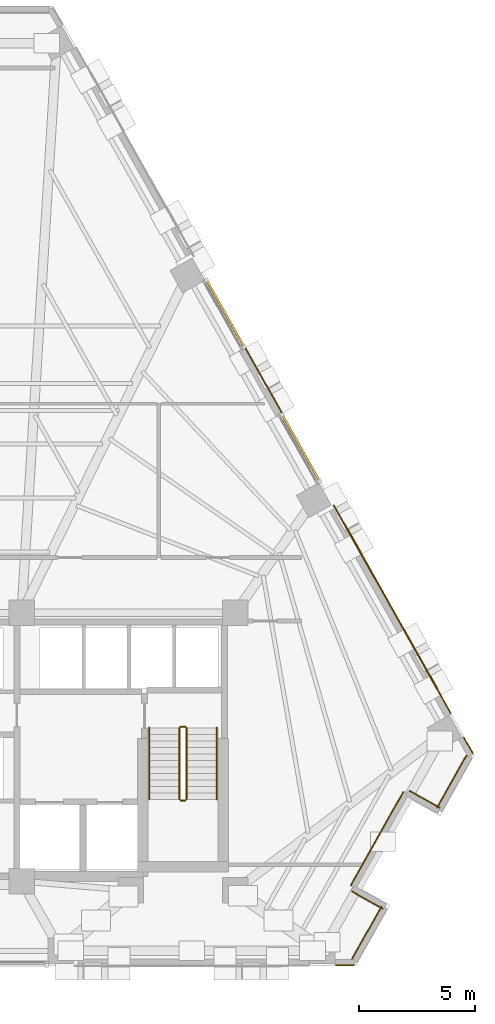
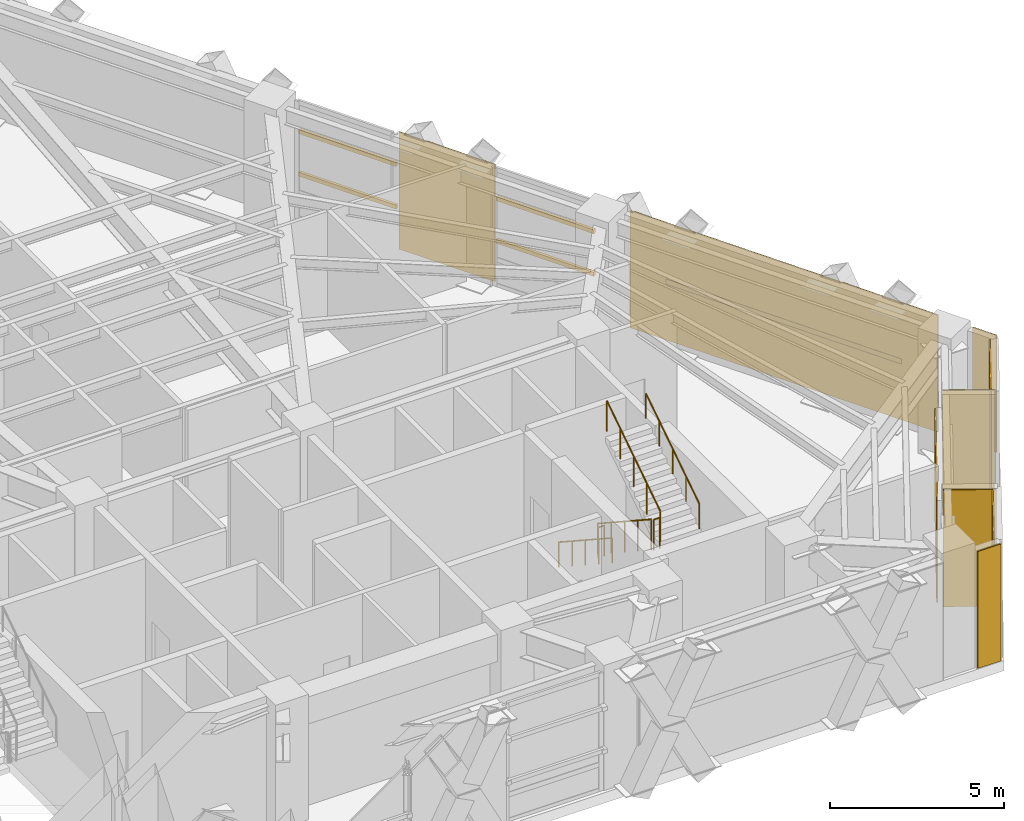
# One storey, part 11 of 12: 9 coverings, 6 railings, 5 shading devices.
"""IFC4 building model written with IfcOpenShell, lengths in metres."""

from ifc_helpers import new_model, si_unit, direction, frame, origin, origin_2d, place, context, subcontext, project, spatial, polyline, rectangle, circle, outline, extrude, material, layer, layer_set, material_profile, profile_set, type_object, element, save


model = new_model("IFC4")

# Units and contexts
model_context = context("Model", 3, precision=1e-05, world=origin(), true_north=direction((0.0, 1.0)))
body_context = subcontext(model_context, "Body", "Model", "MODEL_VIEW")
ifc_project = project(units=[si_unit("LENGTHUNIT", "METRE"), si_unit("AREAUNIT", "SQUARE_METRE"), si_unit("VOLUMEUNIT", "CUBIC_METRE"), si_unit("PLANEANGLEUNIT", "RADIAN"), si_unit("MASSUNIT", "GRAM", prefix="KILO")], contexts=[model_context])

# Site, building, storey
site_placement = place(None, origin())
site = spatial("IfcSite", under=ifc_project, at=site_placement, CompositionType="ELEMENT")
building_placement = place(site_placement, origin())
building = spatial("IfcBuilding", under=site, at=building_placement, Name="Quenlor Broadcast Tower", CompositionType="ELEMENT")
storey_placement = place(building_placement, frame((0.0, 0.0, 90.60009765625)))
storey = spatial("IfcBuildingStorey", under=building, at=storey_placement, Name="L24", CompositionType="ELEMENT", Elevation=90.60009765625)

# Shading devices
ifc_material_1 = material(Name="Architectural Terracotta Ceramic", Category="masonry")
ifc_material_profile_1 = material_profile(ifc_material_1, rectangle(XDim=0.090087890625, YDim=0.139892578125, at=origin_2d()))
ifc_profile_set_1 = profile_set([ifc_material_profile_1], Name="Architectural Terracotta Ceramic BAG90x140")
shading_device_type_1 = type_object("IfcShadingDeviceType", Name="Copper Terracotta Baguette Solar Screen 140", PredefinedType="USERDEFINED", material=ifc_profile_set_1)
for number, where, z_axis, x_axis, name in (
    (1, (11.7275390625, 9.49560546875, 1.493896484375), (0.490314411453, -0.87154562584, 0.0), (0.87154562584, 0.490314411453, 0.0), "L24 Terracotta Baguette Screen 1"),
    (2, (11.7275390625, 9.49560546875, 2.98779296875), (0.490314411453, -0.87154562584, 0.0), (0.87154562584, 0.490314411453, 0.0), "L24 Terracotta Baguette Screen 2"),
    (3, (14.97216796875, 3.727783203125, 1.493896484375), (0.49025769465, -0.871577531168, 0.0), (0.871577531168, 0.49025769465, 0.0), "L24 Terracotta Baguette Screen 1"),
    (4, (14.97216796875, 3.727783203125, 2.98779296875), (0.49025769465, -0.871577531168, 0.0), (0.871577531168, 0.49025769465, 0.0), "L24 Terracotta Baguette Screen 2"),
):
    element("IfcShadingDevice", number, at=place(storey_placement, frame(where, z_axis=z_axis, x_axis=x_axis)), inside=storey, type_object=shading_device_type_1, Name=name, ObjectType="BAGUETTE", PredefinedType="USERDEFINED", context=body_context, shape_type="SweptSolid", body=[
        extrude(rectangle(XDim=0.090087890625, YDim=0.139892578125, at=origin_2d()), origin(), (0.0, 0.0, 1.0), 3.269775390625),
    ])

# Coverings
ifc_material_2 = material(Name="Architectural Terracotta Ceramic", Category="masonry")
ifc_layer = layer(ifc_material_2, 0.044921875)
ifc_layer_set = layer_set([ifc_layer], Name="Fluted Terracotta Rainscreen Cladding Panel")
covering_type = type_object("IfcCoveringType", Name="Fluted Terracotta Rainscreen Cladding Panel", PredefinedType="CLADDING", material=ifc_layer_set)
covering_1_placement = place(storey_placement, frame((0.0, 0.0, 0.02001953125)))
element("IfcCovering", 5, at=covering_1_placement, inside=storey, type_object=covering_type, Name="L24 Terracotta Rainscreen Cladding L24-SHD-SS0", PredefinedType="CLADDING", context=body_context, shape_type="SweptSolid", body=[
    extrude(outline(polyline([(18.053955078125, -19.951904296875), (17.277587890625, -19.951904296875), (17.277587890625, -19.9970703125), (18.053955078125, -19.9970703125), (18.053955078125, -19.951904296875)])), origin(), (0.0, 0.0, 1.0), 4.10986328125),
])
covering_2_placement = place(storey_placement, frame((0.0, 0.0, 0.02001953125)))
element("IfcCovering", 6, at=covering_2_placement, inside=storey, type_object=covering_type, Name="L24 Terracotta Rainscreen Cladding L24-SHD-NES1", PredefinedType="CLADDING", context=body_context, shape_type="SweptSolid", body=[
    extrude(outline(polyline([(22.76611328125, -10.171142578125), (23.160888671875, -10.873046875), (23.2001953125, -10.85107421875), (22.805419921875, -10.149169921875), (22.76611328125, -10.171142578125)])), origin(), (0.0, 0.0, 1.0), 4.10986328125),
])
covering_3_placement = place(storey_placement, frame((0.0, 0.0, 0.02001953125)))
element("IfcCovering", 7, at=covering_3_placement, inside=storey, type_object=covering_type, Name="L24 Terracotta Rainscreen Cladding L24-EW-NEC", PredefinedType="CLADDING", context=body_context, shape_type="SweptSolid", body=[
    extrude(outline(polyline([(17.158935546875, -0.161865234375), (22.2099609375, -9.1416015625), (22.249267578125, -9.119384765625), (17.1982421875, -0.139892578125), (17.158935546875, -0.161865234375)])), origin(), (0.0, 0.0, 1.0), 4.10986328125),
])
covering_4_placement = place(storey_placement, frame((0.0, 0.0, 0.02001953125)))
element("IfcCovering", 8, at=covering_4_placement, inside=storey, type_object=covering_type, Name="L24 Terracotta Rainscreen Cladding L24-NE-SP1", PredefinedType="CLADDING", context=body_context, shape_type="SweptSolid", body=[
    extrude(outline(polyline([(13.363037109375, 6.58642578125), (14.93798828125, 3.786376953125), (14.977294921875, 3.808349609375), (13.40234375, 6.6083984375), (13.363037109375, 6.58642578125)])), origin(), (0.0, 0.0, 1.0), 4.10986328125),
])
covering_5_placement = place(storey_placement, frame((0.0, 0.0, 0.02001953125)))
element("IfcCovering", 9, at=covering_5_placement, inside=storey, type_object=covering_type, Name="L24 Terracotta Rainscreen Cladding L24-CNR-01", PredefinedType="CLADDING", context=body_context, shape_type="SweptSolid", body=[
    extrude(outline(polyline([(19.31787109375, -17.525390625), (17.9755859375, -16.770263671875), (17.95361328125, -16.8095703125), (19.2958984375, -17.564697265625), (19.31787109375, -17.525390625)])), origin(), (0.0, 0.0, 1.0), 4.10986328125),
])
covering_6_placement = place(storey_placement, frame((0.0, 0.0, 0.02001953125)))
element("IfcCovering", 10, at=covering_6_placement, inside=storey, type_object=covering_type, Name="L24 Terracotta Rainscreen Cladding L24-CNR-02", PredefinedType="CLADDING", context=body_context, shape_type="SweptSolid", body=[
    extrude(outline(polyline([(17.941162109375, -16.5419921875), (20.206298828125, -12.515380859375), (20.1669921875, -12.493408203125), (17.902099609375, -16.52001953125), (17.941162109375, -16.5419921875)])), origin(), (0.0, 0.0, 1.0), 3.581787109375),
])
covering_7_placement = place(storey_placement, frame((0.0, 0.0, 0.02001953125)))
element("IfcCovering", 11, at=covering_7_placement, inside=storey, type_object=covering_type, Name="L24 Terracotta Rainscreen Cladding L24-CNR-03", PredefinedType="CLADDING", context=body_context, shape_type="SweptSolid", body=[
    extrude(outline(polyline([(20.4345703125, -12.48095703125), (21.741943359375, -13.21630859375), (21.763916015625, -13.177001953125), (20.45654296875, -12.441650390625), (20.4345703125, -12.48095703125)])), origin(), (0.0, 0.0, 1.0), 4.10986328125),
])
covering_8_placement = place(storey_placement, frame((0.0, 0.0, 0.02001953125)))
element("IfcCovering", 12, at=covering_8_placement, inside=storey, type_object=covering_type, Name="L24 Terracotta Rainscreen Cladding L24-CNR-04", PredefinedType="CLADDING", context=body_context, shape_type="SweptSolid", body=[
    extrude(outline(polyline([(21.64990234375, -13.212646484375), (22.926513671875, -10.94287109375), (22.887451171875, -10.9208984375), (21.610595703125, -13.190673828125), (21.64990234375, -13.212646484375)])), origin(), (0.0, 0.0, 1.0), 4.10986328125),
])
covering_9_placement = place(storey_placement, frame((0.0, 0.0, 0.02001953125)))
element("IfcCovering", 13, at=covering_9_placement, inside=storey, type_object=covering_type, Name="L24 Terracotta Rainscreen Cladding L24-CNR-18", PredefinedType="CLADDING", context=body_context, shape_type="SweptSolid", body=[
    extrude(outline(polyline([(17.991943359375, -19.71533203125), (19.26708984375, -17.448486328125), (19.227783203125, -17.426513671875), (17.952880859375, -19.693359375), (17.991943359375, -19.71533203125)])), origin(), (0.0, 0.0, 1.0), 4.10986328125),
])

# Railings
ifc_material_3 = material(Name="Anodised Aluminium", Category="aluminium")
railing_type_1 = type_object("IfcRailingType", Name="Stainless Aluminium Wall Handrail 900", PredefinedType="HANDRAIL", material=ifc_material_3)
railing_1_placement = place(storey_placement, frame((9.25, -9.75, 0.183349609375)))
element("IfcRailing", 14, at=railing_1_placement, inside=storey, type_object=railing_type_1, Name="L24 ST-2 stair handrail 1", PredefinedType="HANDRAIL", context=body_context, shape_type="SweptSolid", body=[
    extrude(circle(Radius=0.02392578125, at=origin_2d()), frame((0.0, 0.0, 0.8759765625), z_axis=(0.0, -0.836633000464, 0.547763838287), x_axis=(1.0, 0.0, 0.0)), (0.0, 0.0, 1.0), 3.681396484375),
    extrude(circle(Radius=0.02099609375, at=origin_2d()), origin(), (0.0, 0.0, 1.0), 0.851806640625),
    extrude(circle(Radius=0.02099609375, at=origin_2d()), frame((0.0, -0.77001953125, 0.504150390625)), (0.0, 0.0, 1.0), 0.851806640625),
    extrude(circle(Radius=0.02099609375, at=origin_2d()), frame((0.0, -1.5400390625, 1.00830078125)), (0.0, 0.0, 1.0), 0.851806640625),
    extrude(circle(Radius=0.02099609375, at=origin_2d()), frame((0.0, -2.31005859375, 1.512451171875)), (0.0, 0.0, 1.0), 0.851806640625),
    extrude(circle(Radius=0.02099609375, at=origin_2d()), frame((0.0, -3.080078125, 2.0166015625)), (0.0, 0.0, 1.0), 0.851806640625),
])
railing_2_placement = place(storey_placement, frame((12.14990234375, -12.830078125, 2.38330078125)))
element("IfcRailing", 15, at=railing_2_placement, inside=storey, type_object=railing_type_1, Name="L24 ST-2 stair handrail 2", PredefinedType="HANDRAIL", context=body_context, shape_type="SweptSolid", body=[
    extrude(circle(Radius=0.02392578125, at=origin_2d()), frame((0.0, 0.0, 0.8759765625), z_axis=(0.0, 0.836633000464, 0.547763838287), x_axis=(-1.0, 0.0, 0.0)), (0.0, 0.0, 1.0), 3.681396484375),
    extrude(circle(Radius=0.02099609375, at=origin_2d()), origin(), (0.0, 0.0, 1.0), 0.851806640625),
    extrude(circle(Radius=0.02099609375, at=origin_2d()), frame((0.0, 0.77001953125, 0.504150390625)), (0.0, 0.0, 1.0), 0.851806640625),
    extrude(circle(Radius=0.02099609375, at=origin_2d()), frame((0.0, 1.5400390625, 1.00830078125)), (0.0, 0.0, 1.0), 0.851806640625),
    extrude(circle(Radius=0.02099609375, at=origin_2d()), frame((0.0, 2.31005859375, 1.512451171875)), (0.0, 0.0, 1.0), 0.851806640625),
    extrude(circle(Radius=0.02099609375, at=origin_2d()), frame((0.0, 3.080078125, 2.0166015625)), (0.0, 0.0, 1.0), 0.851806640625),
])

# Shading device
ifc_material_4 = material(Name="Architectural Terracotta Ceramic", Category="masonry")
ifc_material_profile_2 = material_profile(ifc_material_4, rectangle(XDim=0.06005859375, YDim=0.179931640625, at=origin_2d()))
ifc_profile_set_2 = profile_set([ifc_material_profile_2], Name="Architectural Terracotta Ceramic LVR60x180")
shading_device_type_2 = type_object("IfcShadingDeviceType", Name="Terracotta Acoustic Plant Weather Louvre 180", PredefinedType="JALOUSIE", material=ifc_profile_set_2)
shading_device_placement = place(storey_placement, frame((17.776611328125, -1.206787109375, 2.074951171875), z_axis=(0.490255352497, -0.871578848612, 0.0), x_axis=(0.871578848612, 0.490255352497, 0.0)))
element("IfcShadingDevice", 16, at=shading_device_placement, inside=storey, type_object=shading_device_type_2, Name="L24 Plant Weather Louvre L24-LV-NEC", PredefinedType="JALOUSIE", context=body_context, shape_type="SweptSolid", body=[
    extrude(rectangle(XDim=0.06005859375, YDim=0.179931640625, at=origin_2d()), origin(), (0.0, 0.0, 1.0), 7.875732421875),
])

# Railings
ifc_material_5 = material(Name="Steel S355", Category="steel")
railing_type_2 = type_object("IfcRailingType", Name="Tubular Steel S355 Stair Guardrail 1100", PredefinedType="BALUSTRADE", material=ifc_material_5)
railing_3_placement = place(storey_placement, frame((10.550048828125, -9.75, 0.183349609375)))
element("IfcRailing", 17, at=railing_3_placement, inside=storey, type_object=railing_type_2, Name="L24 ST-2 stair guard 1", PredefinedType="BALUSTRADE", context=body_context, shape_type="SweptSolid", body=[
    extrude(circle(Radius=0.02392578125, at=origin_2d()), frame((0.0, 0.0, 1.076171875), z_axis=(0.0, -0.836633000464, 0.547763838287), x_axis=(1.0, 0.0, 0.0)), (0.0, 0.0, 1.0), 3.681396484375),
    extrude(circle(Radius=0.02099609375, at=origin_2d()), origin(), (0.0, 0.0, 1.0), 1.052001953125),
    extrude(circle(Radius=0.02099609375, at=origin_2d()), frame((0.0, -0.77001953125, 0.504150390625)), (0.0, 0.0, 1.0), 1.052001953125),
    extrude(circle(Radius=0.02099609375, at=origin_2d()), frame((0.0, -1.5400390625, 1.00830078125)), (0.0, 0.0, 1.0), 1.052001953125),
    extrude(circle(Radius=0.02099609375, at=origin_2d()), frame((0.0, -2.31005859375, 1.512451171875)), (0.0, 0.0, 1.0), 1.052001953125),
    extrude(circle(Radius=0.02099609375, at=origin_2d()), frame((0.0, -3.080078125, 2.0166015625)), (0.0, 0.0, 1.0), 1.052001953125),
])
railing_4_placement = place(storey_placement, frame((10.60009765625, -12.8798828125, 2.199951171875)))
element("IfcRailing", 18, at=railing_4_placement, inside=storey, type_object=railing_type_2, Name="L24 ST-2 stair guard 2", PredefinedType="BALUSTRADE", context=body_context, shape_type="SweptSolid", body=[
    extrude(circle(Radius=0.02392578125, at=origin_2d()), frame((0.0, 0.0, 1.076171875), z_axis=(1.0, 0.0, 0.0), x_axis=(0.0, 1.0, 0.0)), (0.0, 0.0, 1.0), 0.199951171875),
    extrude(circle(Radius=0.02099609375, at=origin_2d()), origin(), (0.0, 0.0, 1.0), 1.052001953125),
    extrude(circle(Radius=0.02099609375, at=origin_2d()), frame((0.199951171875, 0.0, 0.0)), (0.0, 0.0, 1.0), 1.052001953125),
])
railing_5_placement = place(storey_placement, frame((10.85009765625, -12.830078125, 2.38330078125)))
element("IfcRailing", 19, at=railing_5_placement, inside=storey, type_object=railing_type_2, Name="L24 ST-2 stair guard 3", PredefinedType="BALUSTRADE", context=body_context, shape_type="SweptSolid", body=[
    extrude(circle(Radius=0.02392578125, at=origin_2d()), frame((0.0, 0.0, 1.076171875), z_axis=(0.0, 0.836633000464, 0.547763838287), x_axis=(-1.0, 0.0, 0.0)), (0.0, 0.0, 1.0), 3.681396484375),
    extrude(circle(Radius=0.02099609375, at=origin_2d()), origin(), (0.0, 0.0, 1.0), 1.052001953125),
    extrude(circle(Radius=0.02099609375, at=origin_2d()), frame((0.0, 0.77001953125, 0.504150390625)), (0.0, 0.0, 1.0), 1.052001953125),
    extrude(circle(Radius=0.02099609375, at=origin_2d()), frame((0.0, 1.5400390625, 1.00830078125)), (0.0, 0.0, 1.0), 1.052001953125),
    extrude(circle(Radius=0.02099609375, at=origin_2d()), frame((0.0, 2.31005859375, 1.512451171875)), (0.0, 0.0, 1.0), 1.052001953125),
    extrude(circle(Radius=0.02099609375, at=origin_2d()), frame((0.0, 3.080078125, 2.0166015625)), (0.0, 0.0, 1.0), 1.052001953125),
])
railing_6_placement = place(storey_placement, frame((10.60009765625, -9.699951171875, 0.0)))
element("IfcRailing", 20, at=railing_6_placement, inside=storey, type_object=railing_type_2, Name="L24 ST-2 stair guard 4", PredefinedType="BALUSTRADE", context=body_context, shape_type="SweptSolid", body=[
    extrude(circle(Radius=0.02392578125, at=origin_2d()), frame((0.0, 0.0, 1.076171875), z_axis=(1.0, 0.0, 0.0), x_axis=(0.0, 1.0, 0.0)), (0.0, 0.0, 1.0), 0.199951171875),
    extrude(circle(Radius=0.02099609375, at=origin_2d()), origin(), (0.0, 0.0, 1.0), 1.052001953125),
    extrude(circle(Radius=0.02099609375, at=origin_2d()), frame((0.199951171875, 0.0, 0.0)), (0.0, 0.0, 1.0), 1.052001953125),
])

save(model, "model.ifc")
